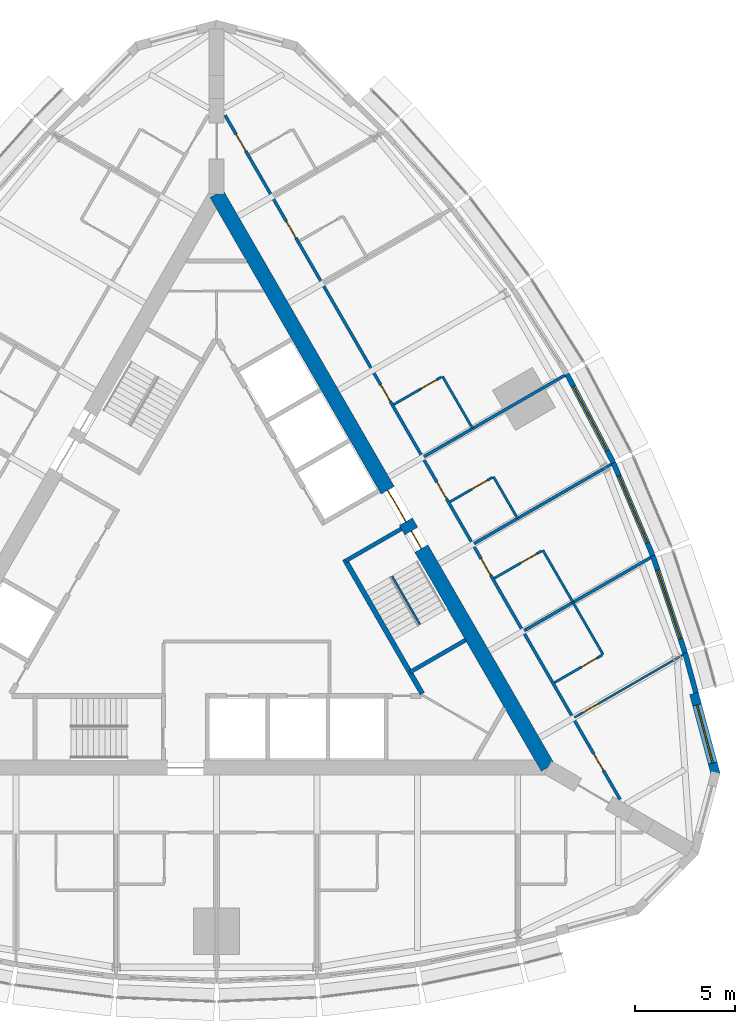
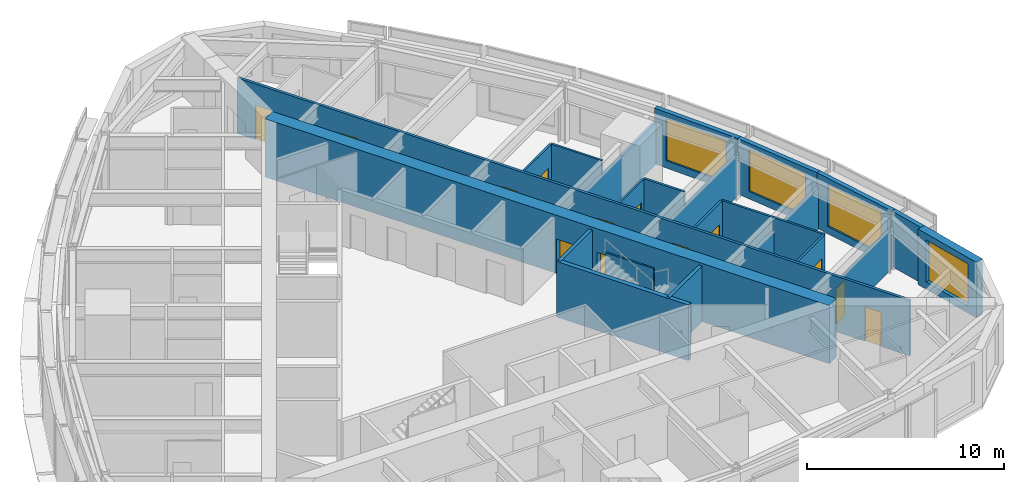
# One storey, part 12 of 15: 23 walls, 13 doors, 4 windows, 17 openings.
"""IFC4 building model written with IfcOpenShell, lengths in metres."""

from ifc_helpers import new_model, si_unit, direction, frame, frame_2d, origin, place, context, subcontext, project, spatial, rectangle, extrude, material, layer, layer_set, type_object, element, fill, save


model = new_model("IFC4")

# Units and contexts
model_context = context("Model", 3, precision=1e-05, world=origin(), true_north=direction((0.0, 1.0)))
body_context = subcontext(model_context, "Body", "Model", "MODEL_VIEW")
ifc_project = project(units=[si_unit("LENGTHUNIT", "METRE"), si_unit("AREAUNIT", "SQUARE_METRE"), si_unit("VOLUMEUNIT", "CUBIC_METRE"), si_unit("PLANEANGLEUNIT", "RADIAN"), si_unit("MASSUNIT", "GRAM", prefix="KILO")], contexts=[model_context])

# Site, building, storey
site_placement = place(None, origin())
site = spatial("IfcSite", under=ifc_project, at=site_placement, CompositionType="ELEMENT")
building_placement = place(site_placement, origin())
building = spatial("IfcBuilding", under=site, at=building_placement, Name="Trikona Tower", CompositionType="ELEMENT")
storey_placement = place(building_placement, frame((0.0, 0.0, 208.10009765625)))
storey = spatial("IfcBuildingStorey", under=building, at=storey_placement, Name="L55", CompositionType="ELEMENT", Elevation=208.10009765625)

# Wall
ifc_material_1 = material(Name="Metal stud and cement board", Category="gypsum")
ifc_layer_1 = layer(ifc_material_1, 0.1201171875)
ifc_layer_set_1 = layer_set([ifc_layer_1], Name="Bathroom wall 120")
wall_type_1 = type_object("IfcWallType", Name="Bathroom wall 120", PredefinedType="PLUMBINGWALL", material=ifc_layer_set_1)
wall_1_placement = place(storey_placement, frame((19.25341796875, -3.895263671875, 0.0), z_axis=(0.0, 0.0, 1.0), x_axis=(-0.499990139034, 0.866031096941, 0.0)))
element("IfcWall", 1, at=wall_1_placement, inside=storey, type_object=wall_type_1, Name="Bathroom wall 5506.1", PredefinedType="PLUMBINGWALL", context=body_context, shape_type="SweptSolid", body=[
    extrude(rectangle(XDim=3.0, YDim=0.1201171875, at=frame_2d((1.5, 0.0))), origin(), (0.0, 0.0, 1.0), 3.434814453125),
])

# Wall, opening, door
wall_2_placement = place(storey_placement, frame((16.82861328125, -5.295166015625, 0.0), z_axis=(0.0, 0.0, 1.0), x_axis=(0.866035715982, 0.499982138324, 0.0)))
wall_2 = element("IfcWall", 2, at=wall_2_placement, inside=storey, type_object=wall_type_1, Name="Bathroom wall 5506.1", PredefinedType="PLUMBINGWALL", context=body_context, shape_type="SweptSolid", body=[
    extrude(rectangle(XDim=2.73974609375, YDim=0.1201171875, at=frame_2d((1.369873046875, 0.0))), origin(), (0.0, 0.0, 1.0), 3.434814453125),
])
opening_1_placement = place(wall_2_placement, frame((1.550048828125, 0.0, 0.0)))
opening_1 = element("IfcOpeningElement", 3, at=opening_1_placement, cuts=wall_2, Name="Opening D2", PredefinedType="OPENING", context=body_context, shape_type="SweptSolid", body=[
    extrude(rectangle(XDim=0.89990234375, YDim=2.1298828125, at=frame_2d((0.449951171875, 1.06494140625))), frame((0.0, 0.070068359375, 0.0), z_axis=(0.0, -1.0, 0.0), x_axis=(1.0, 0.0, 0.0)), (0.0, 0.0, 1.0), 0.14013671875),
])
ifc_material_2 = material(Name="Steel door frame with solid-core timber leaf", Category="steel")
door_type_1 = type_object("IfcDoorType", Name="Bathroom door 900x2130", OperationType="SLIDING_TO_LEFT", PredefinedType="DOOR", material=ifc_material_2)
door_1_placement = place(opening_1_placement, origin())
door_1 = element("IfcDoor", 4, at=door_1_placement, inside=storey, type_object=door_type_1, Name="Bathroom door 5506.1", OperationType="SLIDING_TO_LEFT", OverallHeight=2.1298828125, OverallWidth=0.89990234375, PredefinedType="DOOR", context=body_context, shape_type="SweptSolid", body=[
    extrude(rectangle(XDim=0.89990234375, YDim=2.1298828125, at=frame_2d((0.449951171875, 1.06494140625))), frame((0.0, 0.02490234375, 0.0), z_axis=(0.0, -1.0, 0.0), x_axis=(1.0, 0.0, 0.0)), (0.0, 0.0, 1.0), 0.050048828125),
])
fill(opening_1, door_1)

# Wall
wall_3_placement = place(storey_placement, frame((17.75341796875, -1.297119140625, 0.0), z_axis=(0.0, 0.0, 1.0), x_axis=(-0.499990139034, 0.866031096941, 0.0)))
element("IfcWall", 5, at=wall_3_placement, inside=storey, type_object=wall_type_1, Name="Bathroom wall 5507", PredefinedType="PLUMBINGWALL", context=body_context, shape_type="SweptSolid", body=[
    extrude(rectangle(XDim=3.0, YDim=0.1201171875, at=frame_2d((1.5, 0.0))), origin(), (0.0, 0.0, 1.0), 3.434814453125),
])

# Wall, opening, door
wall_4_placement = place(storey_placement, frame((13.82861328125, -0.09912109375, 0.0), z_axis=(0.0, 0.0, 1.0), x_axis=(0.865997131366, 0.500048966069, 0.0)))
wall_4 = element("IfcWall", 6, at=wall_4_placement, inside=storey, type_object=wall_type_1, Name="Bathroom wall 5507", PredefinedType="PLUMBINGWALL", context=body_context, shape_type="SweptSolid", body=[
    extrude(rectangle(XDim=2.739990234375, YDim=0.1201171875, at=frame_2d((1.3701171875, 0.0))), origin(), (0.0, 0.0, 1.0), 3.434814453125),
])
opening_2_placement = place(wall_4_placement, frame((1.550048828125, 0.0, 0.0)))
opening_2 = element("IfcOpeningElement", 7, at=opening_2_placement, cuts=wall_4, Name="Opening D2", PredefinedType="OPENING", context=body_context, shape_type="SweptSolid", body=[
    extrude(rectangle(XDim=0.89990234375, YDim=2.1298828125, at=frame_2d((0.449951171875, 1.06494140625))), frame((0.0, 0.070068359375, 0.0), z_axis=(0.0, -1.0, 0.0), x_axis=(1.0, 0.0, 0.0)), (0.0, 0.0, 1.0), 0.14013671875),
])
door_2_placement = place(opening_2_placement, origin())
door_2 = element("IfcDoor", 8, at=door_2_placement, inside=storey, type_object=door_type_1, Name="Bathroom door 5507", OperationType="SLIDING_TO_LEFT", OverallHeight=2.1298828125, OverallWidth=0.89990234375, PredefinedType="DOOR", context=body_context, shape_type="SweptSolid", body=[
    extrude(rectangle(XDim=0.89990234375, YDim=2.1298828125, at=frame_2d((0.449951171875, 1.06494140625))), frame((0.0, 0.02490234375, 0.0), z_axis=(0.0, -1.0, 0.0), x_axis=(1.0, 0.0, 0.0)), (0.0, 0.0, 1.0), 0.050048828125),
])
fill(opening_2, door_2)

# Wall
wall_5_placement = place(storey_placement, frame((14.993408203125, 2.883056640625, 0.0), z_axis=(0.0, 0.0, 1.0), x_axis=(-0.500001309137, 0.866024647952, 0.0)))
element("IfcWall", 9, at=wall_5_placement, inside=storey, type_object=wall_type_1, Name="Bathroom wall 5508", PredefinedType="PLUMBINGWALL", context=body_context, shape_type="SweptSolid", body=[
    extrude(rectangle(XDim=2.39990234375, YDim=0.1201171875, at=frame_2d((1.199951171875, 0.0))), origin(), (0.0, 0.0, 1.0), 3.434814453125),
])

# Wall, opening, door
wall_6_placement = place(storey_placement, frame((11.62841796875, 3.71142578125, 0.0), z_axis=(0.0, 0.0, 1.0), x_axis=(0.866048967903, 0.499959183527, 0.0)))
wall_6 = element("IfcWall", 10, at=wall_6_placement, inside=storey, type_object=wall_type_1, Name="Bathroom wall 5508", PredefinedType="PLUMBINGWALL", context=body_context, shape_type="SweptSolid", body=[
    extrude(rectangle(XDim=2.440185546875, YDim=0.1201171875, at=frame_2d((1.22021484375, 0.0))), origin(), (0.0, 0.0, 1.0), 3.434814453125),
])
opening_3_placement = place(wall_6_placement, frame((1.25, 0.0, 0.0)))
opening_3 = element("IfcOpeningElement", 11, at=opening_3_placement, cuts=wall_6, Name="Opening D2", PredefinedType="OPENING", context=body_context, shape_type="SweptSolid", body=[
    extrude(rectangle(XDim=0.89990234375, YDim=2.1298828125, at=frame_2d((0.449951171875, 1.06494140625))), frame((0.0, 0.070068359375, 0.0), z_axis=(0.0, -1.0, 0.0), x_axis=(1.0, 0.0, 0.0)), (0.0, 0.0, 1.0), 0.14013671875),
])
door_3_placement = place(opening_3_placement, origin())
door_3 = element("IfcDoor", 12, at=door_3_placement, inside=storey, type_object=door_type_1, Name="Bathroom door 5508", OperationType="SLIDING_TO_LEFT", OverallHeight=2.1298828125, OverallWidth=0.89990234375, PredefinedType="DOOR", context=body_context, shape_type="SweptSolid", body=[
    extrude(rectangle(XDim=0.89990234375, YDim=2.1298828125, at=frame_2d((0.449951171875, 1.06494140625))), frame((0.0, 0.02490234375, 0.0), z_axis=(0.0, -1.0, 0.0), x_axis=(1.0, 0.0, 0.0)), (0.0, 0.0, 1.0), 0.050048828125),
])
fill(opening_3, door_3)

# Wall
wall_7_placement = place(storey_placement, frame((12.75341796875, 7.363037109375, 0.0), z_axis=(0.0, 0.0, 1.0), x_axis=(-0.499990139034, 0.866031096941, 0.0)))
element("IfcWall", 13, at=wall_7_placement, inside=storey, type_object=wall_type_1, Name="Bathroom wall 5509", PredefinedType="PLUMBINGWALL", context=body_context, shape_type="SweptSolid", body=[
    extrude(rectangle(XDim=3.0, YDim=0.1201171875, at=frame_2d((1.5, 0.0))), origin(), (0.0, 0.0, 1.0), 3.434814453125),
])

# Wall, opening, door
wall_8_placement = place(storey_placement, frame((8.82861328125, 8.561279296875, 0.0), z_axis=(0.0, 0.0, 1.0), x_axis=(0.866035715982, 0.499982138324, 0.0)))
wall_8 = element("IfcWall", 14, at=wall_8_placement, inside=storey, type_object=wall_type_1, Name="Bathroom wall 5509", PredefinedType="PLUMBINGWALL", context=body_context, shape_type="SweptSolid", body=[
    extrude(rectangle(XDim=2.73974609375, YDim=0.1201171875, at=frame_2d((1.369873046875, 0.0))), origin(), (0.0, 0.0, 1.0), 3.434814453125),
])
opening_4_placement = place(wall_8_placement, frame((1.550048828125, 0.0, 0.0)))
opening_4 = element("IfcOpeningElement", 15, at=opening_4_placement, cuts=wall_8, Name="Opening D2", PredefinedType="OPENING", context=body_context, shape_type="SweptSolid", body=[
    extrude(rectangle(XDim=0.89990234375, YDim=2.1298828125, at=frame_2d((0.449951171875, 1.06494140625))), frame((0.0, 0.070068359375, 0.0), z_axis=(0.0, -1.0, 0.0), x_axis=(1.0, 0.0, 0.0)), (0.0, 0.0, 1.0), 0.14013671875),
])
door_4_placement = place(opening_4_placement, origin())
door_4 = element("IfcDoor", 16, at=door_4_placement, inside=storey, type_object=door_type_1, Name="Bathroom door 5509", OperationType="SLIDING_TO_LEFT", OverallHeight=2.1298828125, OverallWidth=0.89990234375, PredefinedType="DOOR", context=body_context, shape_type="SweptSolid", body=[
    extrude(rectangle(XDim=0.89990234375, YDim=2.1298828125, at=frame_2d((0.449951171875, 1.06494140625))), frame((0.0, 0.02490234375, 0.0), z_axis=(0.0, -1.0, 0.0), x_axis=(1.0, 0.0, 0.0)), (0.0, 0.0, 1.0), 0.050048828125),
])
fill(opening_4, door_4)

# Wall, opening, window
ifc_material_3 = material(Name="Brick-faced precast concrete", Category="masonry")
ifc_layer_2 = layer(ifc_material_3, 0.449951171875)
ifc_layer_set_2 = layer_set([ifc_layer_2], Name="Brick-faced corner wall 450")
wall_type_2 = type_object("IfcWallType", Name="Brick-faced corner wall 450", PredefinedType="SOLIDWALL", material=ifc_layer_set_2)
wall_9_placement = place(storey_placement, frame((24.865478515625, -9.873291015625, 0.0), z_axis=(0.0, 0.0, 1.0), x_axis=(-0.258784695888, 0.965935029479, 0.0)))
wall_9 = element("IfcWall", 17, at=wall_9_placement, inside=storey, type_object=wall_type_2, Name="External wall L55-11", PredefinedType="SOLIDWALL", context=body_context, shape_type="SweptSolid", body=[
    extrude(rectangle(XDim=4.18408203125, YDim=0.449951171875, at=frame_2d((2.092041015625, 0.0))), origin(), (0.0, 0.0, 1.0), 3.434814453125),
])
opening_5_placement = place(wall_9_placement, frame((0.592041015625, 0.0, 0.449951171875)))
opening_5 = element("IfcOpeningElement", 18, at=opening_5_placement, cuts=wall_9, Name="Opening W3026", PredefinedType="OPENING", context=body_context, shape_type="SweptSolid", body=[
    extrude(rectangle(XDim=3.0, YDim=2.60009765625, at=frame_2d((1.5, 1.300048828125))), frame((0.0, 0.23486328125, 0.0), z_axis=(0.0, -1.0, 0.0), x_axis=(1.0, 0.0, 0.0)), (0.0, 0.0, 1.0), 0.469970703125),
])
ifc_material_4 = material(Name="Aluminium-framed double glazing", Category="aluminium")
window_type_1 = type_object("IfcWindowType", Name="Window 3000x2600", PartitioningType="SINGLE_PANEL", PredefinedType="WINDOW", material=ifc_material_4)
window_1_placement = place(opening_5_placement, origin())
window_1 = element("IfcWindow", 19, at=window_1_placement, inside=storey, type_object=window_type_1, Name="Window 5506", OverallHeight=2.60009765625, OverallWidth=3.0, PartitioningType="SINGLE_PANEL", PredefinedType="WINDOW", context=body_context, shape_type="SweptSolid", body=[
    extrude(rectangle(XDim=3.0, YDim=2.60009765625, at=frame_2d((1.5, 1.300048828125))), frame((0.0, 0.030029296875, 0.0), z_axis=(0.0, -1.0, 0.0), x_axis=(1.0, 0.0, 0.0)), (0.0, 0.0, 1.0), 0.06005859375),
])
fill(opening_5, window_1)

# Wall, openings, doors
ifc_material_5 = material(Name="Concrete f'c 10000 psi", Category="concrete")
ifc_layer_3 = layer(ifc_material_5, 0.75)
ifc_layer_set_3 = layer_set([ifc_layer_3], Name="Core wall 750")
wall_type_3 = type_object("IfcWallType", Name="Core wall 750", PredefinedType="SHEAR", material=ifc_layer_set_3)
wall_10_placement = place(storey_placement, frame((16.5, -9.5263671875, 0.0), z_axis=(0.0, 0.0, 1.0), x_axis=(-0.499999749417, 0.866025548458, 0.0)))
wall_10 = element("IfcWall", 20, at=wall_10_placement, inside=storey, type_object=wall_type_3, Name="Core wall B", PredefinedType="SHEAR", context=body_context, shape_type="SweptSolid", body=[
    extrude(rectangle(XDim=33.0, YDim=0.75, at=frame_2d((16.5, 0.0))), origin(), (0.0, 0.0, 1.0), 3.599853515625),
])
opening_6_placement = place(wall_10_placement, frame((14.14990234375, 0.0, 0.0)))
opening_6 = element("IfcOpeningElement", 21, at=opening_6_placement, cuts=wall_10, Name="Opening D6", PredefinedType="OPENING", context=body_context, shape_type="SweptSolid", body=[
    extrude(rectangle(XDim=1.800048828125, YDim=2.1298828125, at=frame_2d((0.89990234375, 1.06494140625))), frame((0.0, 0.385009765625, 0.0), z_axis=(0.0, -1.0, 0.0), x_axis=(1.0, 0.0, 0.0)), (0.0, 0.0, 1.0), 0.77001953125),
])
opening_7_placement = place(wall_10_placement, frame((12.60009765625, 0.0, 0.0)))
opening_7 = element("IfcOpeningElement", 22, at=opening_7_placement, cuts=wall_10, Name="Opening D5", PredefinedType="OPENING", context=body_context, shape_type="SweptSolid", body=[
    extrude(rectangle(XDim=1.0, YDim=2.1298828125, at=frame_2d((0.5, 1.06494140625))), frame((0.0, 0.385009765625, 0.0), z_axis=(0.0, -1.0, 0.0), x_axis=(1.0, 0.0, 0.0)), (0.0, 0.0, 1.0), 0.77001953125),
])
ifc_material_6 = material(Name="Hollow metal door and frame", Category="steel")
door_type_2 = type_object("IfcDoorType", Name="Lobby door pair 1800x2130", OperationType="DOUBLE_DOOR_SINGLE_SWING", PredefinedType="DOOR", material=ifc_material_6)
door_5_placement = place(opening_6_placement, origin())
door_5 = element("IfcDoor", 23, at=door_5_placement, inside=storey, type_object=door_type_2, Name="Lift lobby door B", OperationType="DOUBLE_DOOR_SINGLE_SWING", OverallHeight=2.1298828125, OverallWidth=1.800048828125, PredefinedType="DOOR", context=body_context, shape_type="SweptSolid", body=[
    extrude(rectangle(XDim=1.800048828125, YDim=2.1298828125, at=frame_2d((0.89990234375, 1.06494140625))), frame((0.0, 0.02490234375, 0.0), z_axis=(0.0, -1.0, 0.0), x_axis=(1.0, 0.0, 0.0)), (0.0, 0.0, 1.0), 0.050048828125),
])
fill(opening_6, door_5)
ifc_material_7 = material(Name="Hollow metal door and frame", Category="steel")
door_type_3 = type_object("IfcDoorType", Name="Stair door 1000x2130", OperationType="SINGLE_SWING_LEFT", PredefinedType="DOOR", material=ifc_material_7)
door_6_placement = place(opening_7_placement, origin())
door_6 = element("IfcDoor", 24, at=door_6_placement, inside=storey, type_object=door_type_3, Name="Stair B door", OperationType="SINGLE_SWING_RIGHT", OverallHeight=2.1298828125, OverallWidth=1.0, PredefinedType="DOOR", context=body_context, shape_type="SweptSolid", body=[
    extrude(rectangle(XDim=1.0, YDim=2.1298828125, at=frame_2d((0.5, 1.06494140625))), frame((0.0, 0.02490234375, 0.0), z_axis=(0.0, -1.0, 0.0), x_axis=(1.0, 0.0, 0.0)), (0.0, 0.0, 1.0), 0.050048828125),
])
fill(opening_7, door_6)

ifc_material_8 = material(Name="Metal stud and gypsum board, 1-hour", Category="gypsum")
ifc_layer_4 = layer(ifc_material_8, 0.14990234375)
ifc_layer_set_4 = layer_set([ifc_layer_4], Name="Corridor wall 150")
wall_type_4 = type_object("IfcWallType", Name="Corridor wall 150", PredefinedType="PARTITIONING", material=ifc_layer_set_4)
wall_11_placement = place(storey_placement, frame((20.10205078125, -11.115234375, 0.0), z_axis=(0.0, 0.0, 1.0), x_axis=(-0.500000265775, 0.866025250339, 0.0)))
wall_11 = element("IfcWall", 25, at=wall_11_placement, inside=storey, type_object=wall_type_4, Name="Corridor wall L55-2", PredefinedType="PARTITIONING", context=body_context, shape_type="SweptSolid", body=[
    extrude(rectangle(XDim=39.35400390625, YDim=0.14990234375, at=frame_2d((19.677001953125, 0.0))), origin(), (0.0, 0.0, 1.0), 3.434814453125),
])
opening_8_placement = place(wall_11_placement, frame((1.6650390625, 0.0, 0.0)))
opening_8 = element("IfcOpeningElement", 26, at=opening_8_placement, cuts=wall_11, Name="Opening D1", PredefinedType="OPENING", context=body_context, shape_type="SweptSolid", body=[
    extrude(rectangle(XDim=0.949951171875, YDim=2.1298828125, at=frame_2d((0.47509765625, 1.06494140625))), frame((0.0, 0.0849609375, 0.0), z_axis=(0.0, -1.0, 0.0), x_axis=(1.0, 0.0, 0.0)), (0.0, 0.0, 1.0), 0.169921875),
])
opening_9_placement = place(wall_11_placement, frame((12.902099609375, 0.0, 0.0)))
opening_9 = element("IfcOpeningElement", 27, at=opening_9_placement, cuts=wall_11, Name="Opening D1", PredefinedType="OPENING", context=body_context, shape_type="SweptSolid", body=[
    extrude(rectangle(XDim=0.949951171875, YDim=2.1298828125, at=frame_2d((0.47509765625, 1.06494140625))), frame((0.0, 0.0849609375, 0.0), z_axis=(0.0, -1.0, 0.0), x_axis=(1.0, 0.0, 0.0)), (0.0, 0.0, 1.0), 0.169921875),
])
opening_10_placement = place(wall_11_placement, frame((17.302001953125, 0.0, 0.0)))
opening_10 = element("IfcOpeningElement", 28, at=opening_10_placement, cuts=wall_11, Name="Opening D1", PredefinedType="OPENING", context=body_context, shape_type="SweptSolid", body=[
    extrude(rectangle(XDim=0.949951171875, YDim=2.1298828125, at=frame_2d((0.47509765625, 1.06494140625))), frame((0.0, 0.0849609375, 0.0), z_axis=(0.0, -1.0, 0.0), x_axis=(1.0, 0.0, 0.0)), (0.0, 0.0, 1.0), 0.169921875),
])
opening_11_placement = place(wall_11_placement, frame((22.902099609375, 0.0, 0.0)))
opening_11 = element("IfcOpeningElement", 29, at=opening_11_placement, cuts=wall_11, Name="Opening D1", PredefinedType="OPENING", context=body_context, shape_type="SweptSolid", body=[
    extrude(rectangle(XDim=0.949951171875, YDim=2.1298828125, at=frame_2d((0.47509765625, 1.06494140625))), frame((0.0, 0.0849609375, 0.0), z_axis=(0.0, -1.0, 0.0), x_axis=(1.0, 0.0, 0.0)), (0.0, 0.0, 1.0), 0.169921875),
])
opening_12_placement = place(wall_11_placement, frame((32.302001953125, 0.0, 0.0)))
opening_12 = element("IfcOpeningElement", 30, at=opening_12_placement, cuts=wall_11, Name="Opening D1", PredefinedType="OPENING", context=body_context, shape_type="SweptSolid", body=[
    extrude(rectangle(XDim=0.949951171875, YDim=2.1298828125, at=frame_2d((0.47509765625, 1.06494140625))), frame((0.0, 0.0849609375, 0.0), z_axis=(0.0, -1.0, 0.0), x_axis=(1.0, 0.0, 0.0)), (0.0, 0.0, 1.0), 0.169921875),
])
opening_13_placement = place(wall_11_placement, frame((37.302001953125, 0.0, 0.0)))
opening_13 = element("IfcOpeningElement", 31, at=opening_13_placement, cuts=wall_11, Name="Opening D1", PredefinedType="OPENING", context=body_context, shape_type="SweptSolid", body=[
    extrude(rectangle(XDim=0.949951171875, YDim=2.1298828125, at=frame_2d((0.47509765625, 1.06494140625))), frame((0.0, 0.0849609375, 0.0), z_axis=(0.0, -1.0, 0.0), x_axis=(1.0, 0.0, 0.0)), (0.0, 0.0, 1.0), 0.169921875),
])
ifc_material_9 = material(Name="Steel door frame with solid-core timber leaf", Category="steel")
door_type_4 = type_object("IfcDoorType", Name="Guest room door 950x2130", OperationType="SINGLE_SWING_LEFT", PredefinedType="DOOR", material=ifc_material_9)
door_7_placement = place(opening_8_placement, origin())
door_7 = element("IfcDoor", 32, at=door_7_placement, inside=storey, type_object=door_type_4, Name="Room door 5506", OperationType="SINGLE_SWING_LEFT", OverallHeight=2.1298828125, OverallWidth=0.949951171875, PredefinedType="DOOR", context=body_context, shape_type="SweptSolid", body=[
    extrude(rectangle(XDim=0.949951171875, YDim=2.1298828125, at=frame_2d((0.47509765625, 1.06494140625))), frame((0.0, 0.02490234375, 0.0), z_axis=(0.0, -1.0, 0.0), x_axis=(1.0, 0.0, 0.0)), (0.0, 0.0, 1.0), 0.050048828125),
])
fill(opening_8, door_7)
door_8_placement = place(opening_9_placement, origin())
door_8 = element("IfcDoor", 33, at=door_8_placement, inside=storey, type_object=door_type_4, Name="Room door 5507", OperationType="SINGLE_SWING_RIGHT", OverallHeight=2.1298828125, OverallWidth=0.949951171875, PredefinedType="DOOR", context=body_context, shape_type="SweptSolid", body=[
    extrude(rectangle(XDim=0.949951171875, YDim=2.1298828125, at=frame_2d((0.47509765625, 1.06494140625))), frame((0.0, 0.02490234375, 0.0), z_axis=(0.0, -1.0, 0.0), x_axis=(1.0, 0.0, 0.0)), (0.0, 0.0, 1.0), 0.050048828125),
])
fill(opening_9, door_8)
door_9_placement = place(opening_10_placement, origin())
door_9 = element("IfcDoor", 34, at=door_9_placement, inside=storey, type_object=door_type_4, Name="Room door 5508", OperationType="SINGLE_SWING_LEFT", OverallHeight=2.1298828125, OverallWidth=0.949951171875, PredefinedType="DOOR", context=body_context, shape_type="SweptSolid", body=[
    extrude(rectangle(XDim=0.949951171875, YDim=2.1298828125, at=frame_2d((0.47509765625, 1.06494140625))), frame((0.0, 0.02490234375, 0.0), z_axis=(0.0, -1.0, 0.0), x_axis=(1.0, 0.0, 0.0)), (0.0, 0.0, 1.0), 0.050048828125),
])
fill(opening_10, door_9)
door_10_placement = place(opening_11_placement, origin())
door_10 = element("IfcDoor", 35, at=door_10_placement, inside=storey, type_object=door_type_4, Name="Room door 5509", OperationType="SINGLE_SWING_RIGHT", OverallHeight=2.1298828125, OverallWidth=0.949951171875, PredefinedType="DOOR", context=body_context, shape_type="SweptSolid", body=[
    extrude(rectangle(XDim=0.949951171875, YDim=2.1298828125, at=frame_2d((0.47509765625, 1.06494140625))), frame((0.0, 0.02490234375, 0.0), z_axis=(0.0, -1.0, 0.0), x_axis=(1.0, 0.0, 0.0)), (0.0, 0.0, 1.0), 0.050048828125),
])
fill(opening_11, door_10)
door_11_placement = place(opening_12_placement, origin())
door_11 = element("IfcDoor", 36, at=door_11_placement, inside=storey, type_object=door_type_4, Name="Room door 5510", OperationType="SINGLE_SWING_LEFT", OverallHeight=2.1298828125, OverallWidth=0.949951171875, PredefinedType="DOOR", context=body_context, shape_type="SweptSolid", body=[
    extrude(rectangle(XDim=0.949951171875, YDim=2.1298828125, at=frame_2d((0.47509765625, 1.06494140625))), frame((0.0, 0.02490234375, 0.0), z_axis=(0.0, -1.0, 0.0), x_axis=(1.0, 0.0, 0.0)), (0.0, 0.0, 1.0), 0.050048828125),
])
fill(opening_12, door_11)
door_12_placement = place(opening_13_placement, origin())
door_12 = element("IfcDoor", 37, at=door_12_placement, inside=storey, type_object=door_type_4, Name="Room door 5511", OperationType="SINGLE_SWING_RIGHT", OverallHeight=2.1298828125, OverallWidth=0.949951171875, PredefinedType="DOOR", context=body_context, shape_type="SweptSolid", body=[
    extrude(rectangle(XDim=0.949951171875, YDim=2.1298828125, at=frame_2d((0.47509765625, 1.06494140625))), frame((0.0, 0.02490234375, 0.0), z_axis=(0.0, -1.0, 0.0), x_axis=(1.0, 0.0, 0.0)), (0.0, 0.0, 1.0), 0.050048828125),
])
fill(opening_13, door_12)

# Walls
ifc_material_10 = material(Name="Concrete f'c 8000 psi", Category="concrete")
ifc_layer_5 = layer(ifc_material_10, 0.25)
ifc_layer_set_5 = layer_set([ifc_layer_5], Name="Hub wall 250")
wall_type_5 = type_object("IfcWallType", Name="Hub wall 250", PredefinedType="SOLIDWALL", material=ifc_layer_set_5)
wall_12_placement = place(storey_placement, frame((10.245361328125, -5.843017578125, 0.0), z_axis=(0.0, 0.0, 1.0), x_axis=(-0.499993009313, 0.866029439822, 0.0)))
element("IfcWall", 38, at=wall_12_placement, inside=storey, type_object=wall_type_5, Name="Lift lobby wall B1", PredefinedType="SOLIDWALL", context=body_context, shape_type="SweptSolid", body=[
    extrude(rectangle(XDim=7.73291015625, YDim=0.25, at=frame_2d((3.866455078125, 0.0))), origin(), (0.0, 0.0, 1.0), 3.434814453125),
])
ifc_material_11 = material(Name="Insulated precast concrete spandrel panel", Category="concrete")
ifc_layer_6 = layer(ifc_material_11, 0.25)
ifc_layer_set_6 = layer_set([ifc_layer_6], Name="Inner skin wall 250")
wall_type_6 = type_object("IfcWallType", Name="Inner skin wall 250", PredefinedType="STANDARD", material=ifc_layer_set_6)
wall_13_placement = place(storey_placement, frame((23.87939453125, -5.806396484375, 0.0), z_axis=(0.0, 0.0, 1.0), x_axis=(-0.262867703986, 0.964831887015, 0.0)))
element("IfcWall", 39, at=wall_13_placement, inside=storey, type_object=wall_type_6, Name="External wall L55-12", PredefinedType="STANDARD", context=body_context, shape_type="SweptSolid", body=[
    extrude(rectangle(XDim=2.068359375, YDim=0.25, at=frame_2d((1.0341796875, 0.0))), origin(), (0.0, 0.0, 1.0), 3.434814453125),
])

# Wall, opening, window
wall_14_placement = place(storey_placement, frame((23.337890625, -3.8173828125, 0.0), z_axis=(0.0, 0.0, 1.0), x_axis=(-0.315108478109, 0.949055660656, 0.0)))
wall_14 = element("IfcWall", 40, at=wall_14_placement, inside=storey, type_object=wall_type_6, Name="External wall L55-13", PredefinedType="STANDARD", context=body_context, shape_type="SweptSolid", body=[
    extrude(rectangle(XDim=5.10498046875, YDim=0.25, at=frame_2d((2.552490234375, 0.0))), origin(), (0.0, 0.0, 1.0), 3.434814453125),
])
opening_14_placement = place(wall_14_placement, frame((0.75244140625, 0.0, 0.449951171875)))
opening_14 = element("IfcOpeningElement", 41, at=opening_14_placement, cuts=wall_14, Name="Opening W3626", PredefinedType="OPENING", context=body_context, shape_type="SweptSolid", body=[
    extrude(rectangle(XDim=3.60009765625, YDim=2.60009765625, at=frame_2d((1.800048828125, 1.300048828125))), frame((0.0, 0.135009765625, 0.0), z_axis=(0.0, -1.0, 0.0), x_axis=(1.0, 0.0, 0.0)), (0.0, 0.0, 1.0), 0.27001953125),
])
ifc_material_12 = material(Name="Aluminium-framed double glazing", Category="aluminium")
window_type_2 = type_object("IfcWindowType", Name="Window 3600x2600", PartitioningType="SINGLE_PANEL", PredefinedType="WINDOW", material=ifc_material_12)
window_2_placement = place(opening_14_placement, origin())
window_2 = element("IfcWindow", 42, at=window_2_placement, inside=storey, type_object=window_type_2, Name="Window 5506.1", OverallHeight=2.60009765625, OverallWidth=3.60009765625, PartitioningType="SINGLE_PANEL", PredefinedType="WINDOW", context=body_context, shape_type="SweptSolid", body=[
    extrude(rectangle(XDim=3.60009765625, YDim=2.60009765625, at=frame_2d((1.800048828125, 1.300048828125))), frame((0.0, 0.030029296875, 0.0), z_axis=(0.0, -1.0, 0.0), x_axis=(1.0, 0.0, 0.0)), (0.0, 0.0, 1.0), 0.06005859375),
])
fill(opening_14, window_2)

wall_15_placement = place(storey_placement, frame((21.73291015625, 1.01806640625, 0.0), z_axis=(0.0, 0.0, 1.0), x_axis=(-0.390096809471, 0.920773848044, 0.0)))
wall_15 = element("IfcWall", 43, at=wall_15_placement, inside=storey, type_object=wall_type_6, Name="External wall L55-14", PredefinedType="STANDARD", context=body_context, shape_type="SweptSolid", body=[
    extrude(rectangle(XDim=5.0380859375, YDim=0.25, at=frame_2d((2.51904296875, 0.0))), origin(), (0.0, 0.0, 1.0), 3.434814453125),
])
opening_15_placement = place(wall_15_placement, frame((0.718994140625, 0.0, 0.449951171875)))
opening_15 = element("IfcOpeningElement", 44, at=opening_15_placement, cuts=wall_15, Name="Opening W3626", PredefinedType="OPENING", context=body_context, shape_type="SweptSolid", body=[
    extrude(rectangle(XDim=3.60009765625, YDim=2.60009765625, at=frame_2d((1.800048828125, 1.300048828125))), frame((0.0, 0.135009765625, 0.0), z_axis=(0.0, -1.0, 0.0), x_axis=(1.0, 0.0, 0.0)), (0.0, 0.0, 1.0), 0.27001953125),
])
window_3_placement = place(opening_15_placement, origin())
window_3 = element("IfcWindow", 45, at=window_3_placement, inside=storey, type_object=window_type_2, Name="Window 5507", OverallHeight=2.60009765625, OverallWidth=3.60009765625, PartitioningType="SINGLE_PANEL", PredefinedType="WINDOW", context=body_context, shape_type="SweptSolid", body=[
    extrude(rectangle(XDim=3.60009765625, YDim=2.60009765625, at=frame_2d((1.800048828125, 1.300048828125))), frame((0.0, 0.030029296875, 0.0), z_axis=(0.0, -1.0, 0.0), x_axis=(1.0, 0.0, 0.0)), (0.0, 0.0, 1.0), 0.06005859375),
])
fill(opening_15, window_3)

wall_16_placement = place(storey_placement, frame((19.772216796875, 5.64794921875, 0.0), z_axis=(0.0, 0.0, 1.0), x_axis=(-0.463976002579, 0.885847768542, 0.0)))
wall_16 = element("IfcWall", 46, at=wall_16_placement, inside=storey, type_object=wall_type_6, Name="External wall L55-15", PredefinedType="STANDARD", context=body_context, shape_type="SweptSolid", body=[
    extrude(rectangle(XDim=5.004150390625, YDim=0.25, at=frame_2d((2.501953125, 0.0))), origin(), (0.0, 0.0, 1.0), 3.434814453125),
])
opening_16_placement = place(wall_16_placement, frame((0.7021484375, 0.0, 0.449951171875)))
opening_16 = element("IfcOpeningElement", 47, at=opening_16_placement, cuts=wall_16, Name="Opening W3626", PredefinedType="OPENING", context=body_context, shape_type="SweptSolid", body=[
    extrude(rectangle(XDim=3.60009765625, YDim=2.60009765625, at=frame_2d((1.800048828125, 1.300048828125))), frame((0.0, 0.135009765625, 0.0), z_axis=(0.0, -1.0, 0.0), x_axis=(1.0, 0.0, 0.0)), (0.0, 0.0, 1.0), 0.27001953125),
])
window_4_placement = place(opening_16_placement, origin())
window_4 = element("IfcWindow", 48, at=window_4_placement, inside=storey, type_object=window_type_2, Name="Window 5508", OverallHeight=2.60009765625, OverallWidth=3.60009765625, PartitioningType="SINGLE_PANEL", PredefinedType="WINDOW", context=body_context, shape_type="SweptSolid", body=[
    extrude(rectangle(XDim=3.60009765625, YDim=2.60009765625, at=frame_2d((1.800048828125, 1.300048828125))), frame((0.0, 0.030029296875, 0.0), z_axis=(0.0, -1.0, 0.0), x_axis=(1.0, 0.0, 0.0)), (0.0, 0.0, 1.0), 0.06005859375),
])
fill(opening_16, window_4)

# Walls
ifc_material_13 = material(Name="Metal stud and gypsum board, 1-hour acoustic", Category="gypsum")
ifc_layer_7 = layer(ifc_material_13, 0.14990234375)
ifc_layer_set_7 = layer_set([ifc_layer_7], Name="Party wall 150")
wall_type_7 = type_object("IfcWallType", Name="Party wall 150", PredefinedType="PARTITIONING", material=ifc_layer_set_7)
wall_17_placement = place(storey_placement, frame((15.32861328125, -2.697021484375, 0.0), z_axis=(0.0, 0.0, 1.0), x_axis=(0.866032413668, 0.499987858329, 0.0)))
element("IfcWall", 49, at=wall_17_placement, inside=storey, type_object=wall_type_7, Name="Partition L55 F2 u-10", PredefinedType="PARTITIONING", context=body_context, shape_type="SweptSolid", body=[
    extrude(rectangle(XDim=7.272705078125, YDim=0.14990234375, at=frame_2d((3.63623046875, 0.0))), origin(), (0.0, 0.0, 1.0), 2.589111328125),
])
wall_18_placement = place(storey_placement, frame((12.82861328125, 1.633056640625, 0.0), z_axis=(0.0, 0.0, 1.0), x_axis=(0.866030558329, 0.49999107196, 0.0)))
element("IfcWall", 50, at=wall_18_placement, inside=storey, type_object=wall_type_7, Name="Partition L55 F2 u-5", PredefinedType="PARTITIONING", context=body_context, shape_type="SweptSolid", body=[
    extrude(rectangle(XDim=7.893798828125, YDim=0.14990234375, at=frame_2d((3.94677734375, 0.0))), origin(), (0.0, 0.0, 1.0), 2.589111328125),
])
wall_19_placement = place(storey_placement, frame((10.32861328125, 5.963134765625, 0.0), z_axis=(0.0, 0.0, 1.0), x_axis=(0.866016460812, 0.500015489362, 0.0)))
element("IfcWall", 51, at=wall_19_placement, inside=storey, type_object=wall_type_7, Name="Partition L55 F2 u-2.10942e-15", PredefinedType="PARTITIONING", context=body_context, shape_type="SweptSolid", body=[
    extrude(rectangle(XDim=8.101318359375, YDim=0.14990234375, at=frame_2d((4.05078125, 0.0))), origin(), (0.0, 0.0, 1.0), 2.589111328125),
])
ifc_material_14 = material(Name="Concrete f'c 8000 psi", Category="concrete")
ifc_layer_8 = layer(ifc_material_14, 0.199951171875)
ifc_layer_set_8 = layer_set([ifc_layer_8], Name="Shaft wall 200 load-bearing")
wall_type_8 = type_object("IfcWallType", Name="Shaft wall 200 load-bearing", PredefinedType="SOLIDWALL", material=ifc_layer_set_8)
for number, where, z_axis, x_axis, name in (
    (52, (9.62890625, -4.775390625, 0.0), (0.0, 0.0, 1.0), (0.866008981251, 0.500028443584, 0.0), "Shaft wall B1"),
    (53, (6.428955078125, 0.767333984375, 0.0), (0.0, 0.0, 1.0), (0.866042017984, 0.499971222258, 0.0), "Shaft wall B2"),
):
    element("IfcWall", number, at=place(storey_placement, frame(where, z_axis=z_axis, x_axis=x_axis)), inside=storey, type_object=wall_type_8, Name=name, PredefinedType="SOLIDWALL", context=body_context, shape_type="SweptSolid", body=[
        extrude(rectangle(XDim=3.199951171875, YDim=0.199951171875, at=frame_2d((1.60009765625, 0.0))), origin(), (0.0, 0.0, 1.0), 3.434814453125),
    ])
ifc_material_15 = material(Name="Concrete f'c 5000 psi", Category="concrete")
ifc_layer_9 = layer(ifc_material_15, 0.10009765625)
ifc_layer_set_9 = layer_set([ifc_layer_9], Name="Stair spine wall 100")
wall_type_9 = type_object("IfcWallType", Name="Stair spine wall 100", PredefinedType="SOLIDWALL", material=ifc_layer_set_9)
wall_20_placement = place(storey_placement, frame((10.134765625, -2.4013671875, 0.0), z_axis=(0.0, 0.0, 1.0), x_axis=(-0.499992232847, 0.866029888106, 0.0)))
element("IfcWall", 54, at=wall_20_placement, inside=storey, type_object=wall_type_9, Name="Stair B spine wall L55", PredefinedType="SOLIDWALL", context=body_context, shape_type="SweptSolid", body=[
    extrude(rectangle(XDim=2.7939453125, YDim=0.10009765625, at=frame_2d((1.39697265625, 0.0))), origin(), (0.0, 0.0, 1.0), 3.599853515625),
])

# Wall, opening, door
ifc_material_16 = material(Name="Metal stud and gypsum board, acoustic", Category="gypsum")
ifc_layer_10 = layer(ifc_material_16, 0.10009765625)
ifc_layer_set_10 = layer_set([ifc_layer_10], Name="Suite partition 100")
wall_type_10 = type_object("IfcWallType", Name="Suite partition 100", PredefinedType="PARTITIONING", material=ifc_layer_set_10)
wall_21_placement = place(storey_placement, frame((17.82861328125, -7.027099609375, 0.0), z_axis=(0.0, 0.0, 1.0), x_axis=(0.866026604282, 0.499997920671, 0.0)))
wall_21 = element("IfcWall", 55, at=wall_21_placement, inside=storey, type_object=wall_type_10, Name="Suite partition L55 F2 u-15", PredefinedType="PARTITIONING", context=body_context, shape_type="SweptSolid", body=[
    extrude(rectangle(XDim=6.23974609375, YDim=0.10009765625, at=frame_2d((3.119873046875, 0.0))), origin(), (0.0, 0.0, 1.0), 2.589111328125),
])
opening_17_placement = place(wall_21_placement, frame((0.449951171875, 0.0, 0.0)))
opening_17 = element("IfcOpeningElement", 56, at=opening_17_placement, cuts=wall_21, Name="Opening D13", PredefinedType="OPENING", context=body_context, shape_type="SweptSolid", body=[
    extrude(rectangle(XDim=0.89990234375, YDim=2.1298828125, at=frame_2d((0.449951171875, 1.06494140625))), frame((0.0, 0.06005859375, 0.0), z_axis=(0.0, -1.0, 0.0), x_axis=(1.0, 0.0, 0.0)), (0.0, 0.0, 1.0), 0.1201171875),
])
ifc_material_17 = material(Name="Steel door frame with solid-core timber leaf", Category="steel")
door_type_5 = type_object("IfcDoorType", Name="Suite door 900x2130", OperationType="SINGLE_SWING_LEFT", PredefinedType="DOOR", material=ifc_material_17)
door_13_placement = place(opening_17_placement, origin())
door_13 = element("IfcDoor", 57, at=door_13_placement, inside=storey, type_object=door_type_5, Name="Suite door 5506", OperationType="SINGLE_SWING_LEFT", OverallHeight=2.1298828125, OverallWidth=0.89990234375, PredefinedType="DOOR", context=body_context, shape_type="SweptSolid", body=[
    extrude(rectangle(XDim=0.89990234375, YDim=2.1298828125, at=frame_2d((0.449951171875, 1.06494140625))), frame((0.0, 0.02490234375, 0.0), z_axis=(0.0, -1.0, 0.0), x_axis=(1.0, 0.0, 0.0)), (0.0, 0.0, 1.0), 0.050048828125),
])
fill(opening_17, door_13)

save(model, "model.ifc")
